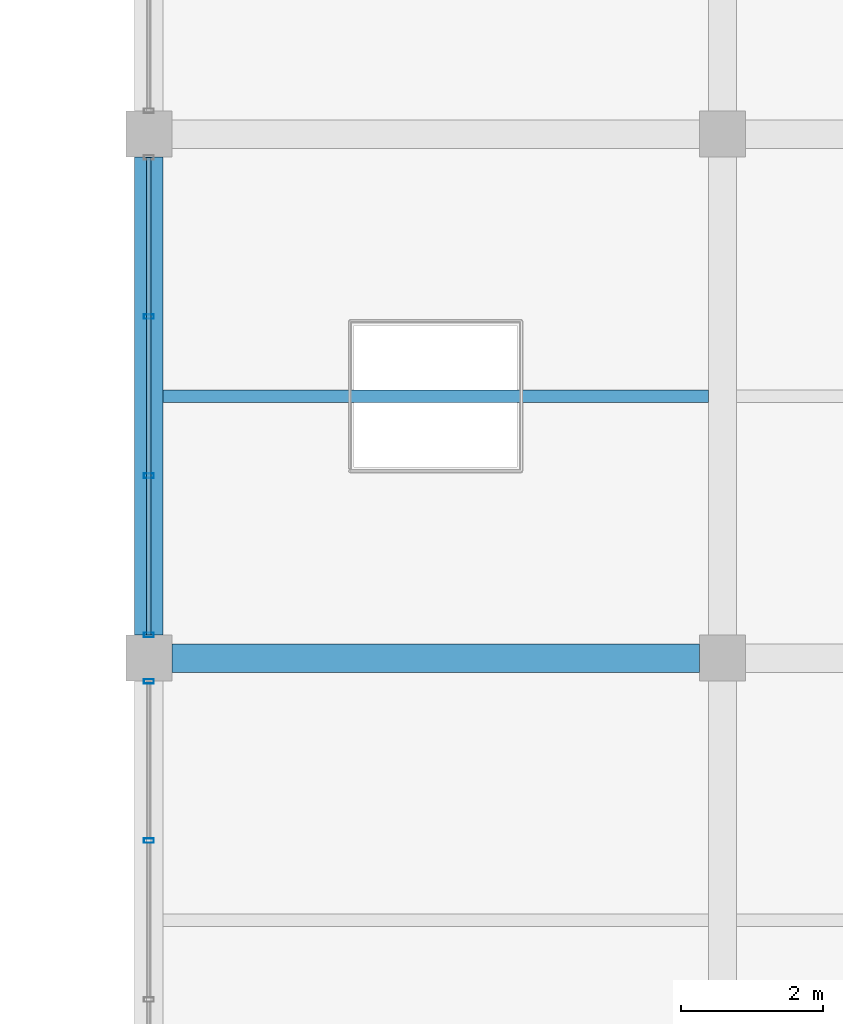
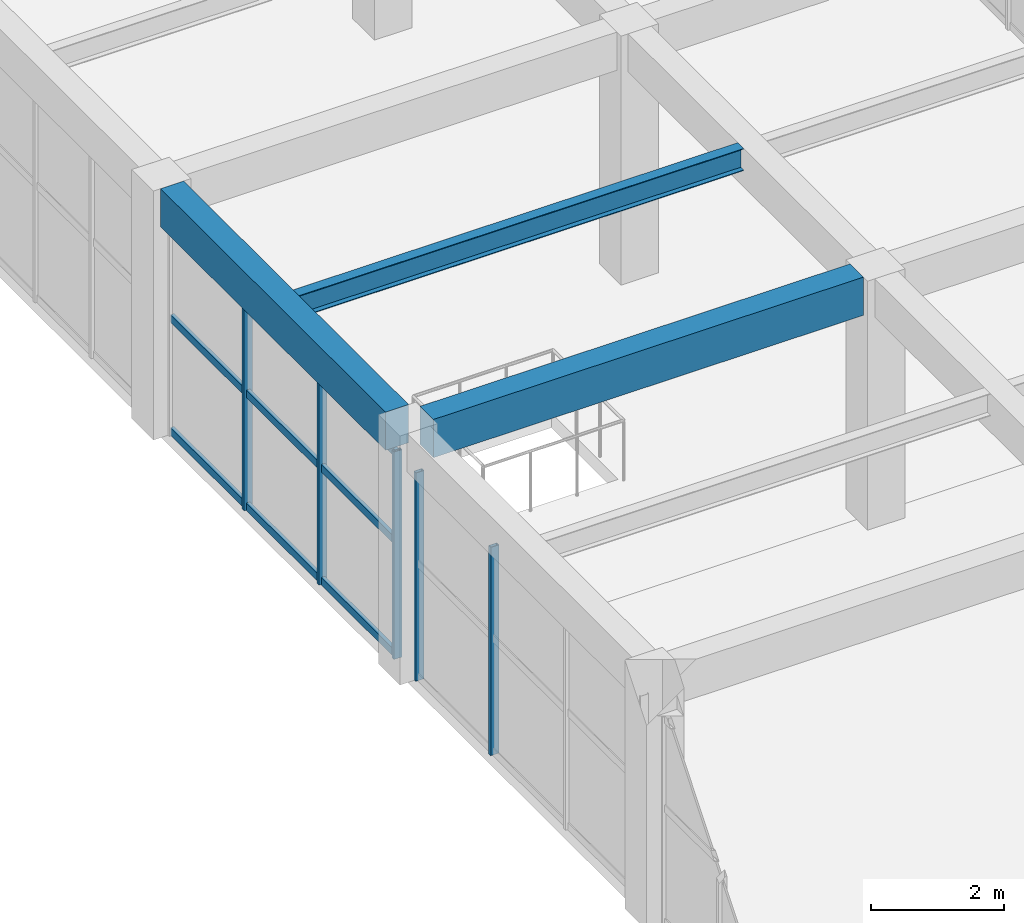
# One storey, part 92 of 161: 8 members, 3 beams, 2 elements without a shape of their own.
"""IFC4 building model written with IfcOpenShell, lengths in metres."""

from ifc_helpers import new_model, si_unit, direction, frame, origin, origin_2d, place, context, subcontext, project, spatial, rectangle, hollow_rectangle, i_section, extrude, material, material_profile, profile_set, type_object, element, aggregate, save


model = new_model("IFC4")

# Units and contexts
model_context = context("Model", 3, precision=1e-05, world=origin(), true_north=direction((0.0, 1.0)))
body_context = subcontext(model_context, "Body", "Model", "MODEL_VIEW")
ifc_project = project(units=[si_unit("LENGTHUNIT", "METRE"), si_unit("AREAUNIT", "SQUARE_METRE"), si_unit("VOLUMEUNIT", "CUBIC_METRE"), si_unit("PLANEANGLEUNIT", "RADIAN"), si_unit("MASSUNIT", "GRAM", prefix="KILO")], contexts=[model_context])

# Site, building, storey
site_placement = place(None, origin())
site = spatial("IfcSite", under=ifc_project, at=site_placement, CompositionType="ELEMENT")
building_placement = place(site_placement, origin())
building = spatial("IfcBuilding", under=site, at=building_placement, Name="Cimatlan Art Gallery", CompositionType="ELEMENT")
storey_placement = place(building_placement, frame((0.0, 0.0, 5.39990234375)))
storey = spatial("IfcBuildingStorey", under=building, at=storey_placement, Name="L01", CompositionType="ELEMENT", Elevation=5.39990234375)

# Beams
ifc_material_1 = material(Name="Concrete C40/50", Category="concrete")
ifc_material_profile_1 = material_profile(ifc_material_1, rectangle(XDim=0.39990234375, YDim=0.699951171875, at=origin_2d()), Name="RC400X700")
ifc_profile_set_1 = profile_set([ifc_material_profile_1], Name="Concrete C40/50")
beam_type_1 = type_object("IfcBeamType", Name="BM-RC-400X700", PredefinedType="BEAM", material=ifc_profile_set_1)
beam_1_placement = place(storey_placement, frame((115.39990234375, 68.625, 4.210205078125), z_axis=(0.0, 1.0, 0.0), x_axis=(-1.0, 0.0, 0.0)))
element("IfcBeam", 1, at=beam_1_placement, inside=storey, type_object=beam_type_1, Name="BM-Y-L01-14-09", PredefinedType="BEAM", context=body_context, shape_type="SweptSolid", body=[
    extrude(rectangle(XDim=0.39990234375, YDim=0.699951171875, at=origin_2d()), origin(), (0.0, 0.0, 1.0), 6.75),
])
beam_2_placement = place(storey_placement, frame((115.72509765625, 68.300048828125, 4.210205078125), z_axis=(1.0, 0.0, 0.0), x_axis=(0.0, 1.0, 0.0)))
element("IfcBeam", 2, at=beam_2_placement, inside=storey, type_object=beam_type_1, Name="BM-X-L01-14-09", PredefinedType="BEAM", context=body_context, shape_type="SweptSolid", body=[
    extrude(rectangle(XDim=0.39990234375, YDim=0.699951171875, at=origin_2d()), origin(), (0.0, 0.0, 1.0), 7.449951171875),
])
ifc_material_2 = material(Name="Steel ASTM A992 Grade 50", Category="steel")
ifc_material_profile_2 = material_profile(ifc_material_2, i_section(OverallWidth=0.177978515625, OverallDepth=0.406982421875, WebThickness=0.0078125, FlangeThickness=0.0126953125, at=origin_2d()), Name="W16X40")
ifc_profile_set_2 = profile_set([ifc_material_profile_2], Name="Steel ASTM A992 Grade 50")
beam_type_2 = type_object("IfcBeamType", Name="BM-STL-W16X40", PredefinedType="JOIST", material=ifc_profile_set_2)
beam_3_placement = place(storey_placement, frame((115.60009765625, 72.0, 4.356689453125), z_axis=(1.0, 0.0, 0.0), x_axis=(0.0, 1.0, 0.0)))
element("IfcBeam", 3, at=beam_3_placement, inside=storey, type_object=beam_type_2, Name="JST-L01-14-09", PredefinedType="JOIST", context=body_context, shape_type="SweptSolid", body=[
    extrude(i_section(OverallWidth=0.177978515625, OverallDepth=0.406982421875, WebThickness=0.0078125, FlangeThickness=0.0126953125, at=origin_2d()), origin(), (0.0, 0.0, 1.0), 7.699951171875),
])

# Curtain wall, members
ifc_material_3 = material(Name="Anodised bronze unitised curtain wall")
curtain_wall_type_1 = type_object("IfcCurtainWallType", Name="CW-V-06742X03815-B3", PredefinedType="NOTDEFINED", material=ifc_material_3)
curtain_wall_1_placement = place(storey_placement, origin())
curtain_wall_1 = element("IfcCurtainWall", 4, at=curtain_wall_1_placement, inside=storey, type_object=curtain_wall_type_1, Name="CW-L01-14-08-W", PredefinedType="NOTDEFINED")
ifc_material_4 = material(Name="Anodised bronze aluminium 6063-T6", Category="aluminium")
ifc_material_profile_3 = material_profile(ifc_material_4, hollow_rectangle(XDim=0.06494140625, YDim=0.139892578125, WallThickness=0.00390625, at=origin_2d()), Name="ALU65X140X4")
ifc_profile_set_3 = profile_set([ifc_material_profile_3], Name="Anodised bronze aluminium 6063-T6")
member_type_1 = type_object("IfcMemberType", Name="CW-MUL-140", PredefinedType="MULLION", material=ifc_profile_set_3)
member_1_placement = place(storey_placement, frame((115.39990234375, 65.7236328125, 0.0), z_axis=(0.0, 0.0, 1.0), x_axis=(0.0, 1.0, 0.0)))
member_1 = element("IfcMember", 5, at=member_1_placement, type_object=member_type_1, Name="CW-L01-14-08-W-M3", PredefinedType="MULLION", context=body_context, shape_type="SweptSolid", body=[
    extrude(hollow_rectangle(XDim=0.06494140625, YDim=0.139892578125, WallThickness=0.00390625, at=origin_2d()), origin(), (0.0, 0.0, 1.0), 3.815185546875),
])
member_2_placement = place(storey_placement, frame((115.39990234375, 67.970947265625, 0.0), z_axis=(0.0, 0.0, 1.0), x_axis=(0.0, 1.0, 0.0)))
member_2 = element("IfcMember", 6, at=member_2_placement, type_object=member_type_1, Name="CW-L01-14-08-W-M4", PredefinedType="MULLION", context=body_context, shape_type="SweptSolid", body=[
    extrude(hollow_rectangle(XDim=0.06494140625, YDim=0.139892578125, WallThickness=0.00390625, at=origin_2d()), origin(), (0.0, 0.0, 1.0), 3.815185546875),
])
aggregate(curtain_wall_1, [member_1, member_2])

curtain_wall_type_2 = type_object("IfcCurtainWallType", Name="CW-V-06742X03800-B3", PredefinedType="NOTDEFINED", material=ifc_material_3)
curtain_wall_2_placement = place(storey_placement, origin())
curtain_wall_2 = element("IfcCurtainWall", 7, at=curtain_wall_2_placement, inside=storey, type_object=curtain_wall_type_2, Name="CW-L01-14-09-W", PredefinedType="NOTDEFINED")
member_3_placement = place(storey_placement, frame((115.39990234375, 68.62890625, 0.0), z_axis=(0.0, 0.0, 1.0), x_axis=(0.0, 1.0, 0.0)))
member_3 = element("IfcMember", 8, at=member_3_placement, type_object=member_type_1, Name="CW-L01-14-09-W-M1", PredefinedType="MULLION", context=body_context, shape_type="SweptSolid", body=[
    extrude(hollow_rectangle(XDim=0.06494140625, YDim=0.139892578125, WallThickness=0.00390625, at=origin_2d()), origin(), (0.0, 0.0, 1.0), 3.800048828125),
])
member_4_placement = place(storey_placement, frame((115.39990234375, 70.876220703125, 0.0), z_axis=(0.0, 0.0, 1.0), x_axis=(0.0, 1.0, 0.0)))
member_4 = element("IfcMember", 9, at=member_4_placement, type_object=member_type_1, Name="CW-L01-14-09-W-M2", PredefinedType="MULLION", context=body_context, shape_type="SweptSolid", body=[
    extrude(hollow_rectangle(XDim=0.06494140625, YDim=0.139892578125, WallThickness=0.00390625, at=origin_2d()), origin(), (0.0, 0.0, 1.0), 3.800048828125),
])
member_5_placement = place(storey_placement, frame((115.39990234375, 73.123779296875, 0.0), z_axis=(0.0, 0.0, 1.0), x_axis=(0.0, 1.0, 0.0)))
member_5 = element("IfcMember", 10, at=member_5_placement, type_object=member_type_1, Name="CW-L01-14-09-W-M3", PredefinedType="MULLION", context=body_context, shape_type="SweptSolid", body=[
    extrude(hollow_rectangle(XDim=0.06494140625, YDim=0.139892578125, WallThickness=0.00390625, at=origin_2d()), origin(), (0.0, 0.0, 1.0), 3.800048828125),
])
ifc_material_profile_4 = material_profile(ifc_material_4, hollow_rectangle(XDim=0.06494140625, YDim=0.139892578125, WallThickness=0.00390625, at=origin_2d()), Name="ALU65X140X4")
ifc_profile_set_4 = profile_set([ifc_material_profile_4], Name="Anodised bronze aluminium 6063-T6")
member_type_2 = type_object("IfcMemberType", Name="CW-TRN-140", PredefinedType="USERDEFINED", material=ifc_profile_set_4)
member_6_placement = place(storey_placement, frame((115.39990234375, 68.62890625, 0.06005859375), z_axis=(0.0, 1.0, 0.0), x_axis=(-1.0, 0.0, 0.0)))
member_6 = element("IfcMember", 11, at=member_6_placement, type_object=member_type_2, Name="CW-L01-14-09-W-T1", ObjectType="TRANSOM", PredefinedType="USERDEFINED", context=body_context, shape_type="SweptSolid", body=[
    extrude(hollow_rectangle(XDim=0.06494140625, YDim=0.139892578125, WallThickness=0.00390625, at=origin_2d()), origin(), (0.0, 0.0, 1.0), 6.7421875),
])
member_7_placement = place(storey_placement, frame((115.39990234375, 68.62890625, 2.128173828125), z_axis=(0.0, 1.0, 0.0), x_axis=(-1.0, 0.0, 0.0)))
member_7 = element("IfcMember", 12, at=member_7_placement, type_object=member_type_2, Name="CW-L01-14-09-W-T2", ObjectType="TRANSOM", PredefinedType="USERDEFINED", context=body_context, shape_type="SweptSolid", body=[
    extrude(hollow_rectangle(XDim=0.06494140625, YDim=0.139892578125, WallThickness=0.00390625, at=origin_2d()), origin(), (0.0, 0.0, 1.0), 6.7421875),
])
member_8_placement = place(storey_placement, frame((115.39990234375, 68.62890625, 3.739990234375), z_axis=(0.0, 1.0, 0.0), x_axis=(-1.0, 0.0, 0.0)))
member_8 = element("IfcMember", 13, at=member_8_placement, type_object=member_type_2, Name="CW-L01-14-09-W-T3", ObjectType="TRANSOM", PredefinedType="USERDEFINED", context=body_context, shape_type="SweptSolid", body=[
    extrude(hollow_rectangle(XDim=0.06494140625, YDim=0.139892578125, WallThickness=0.00390625, at=origin_2d()), origin(), (0.0, 0.0, 1.0), 6.7421875),
])
aggregate(curtain_wall_2, [member_3, member_4, member_5, member_6, member_7, member_8])

save(model, "model.ifc")
